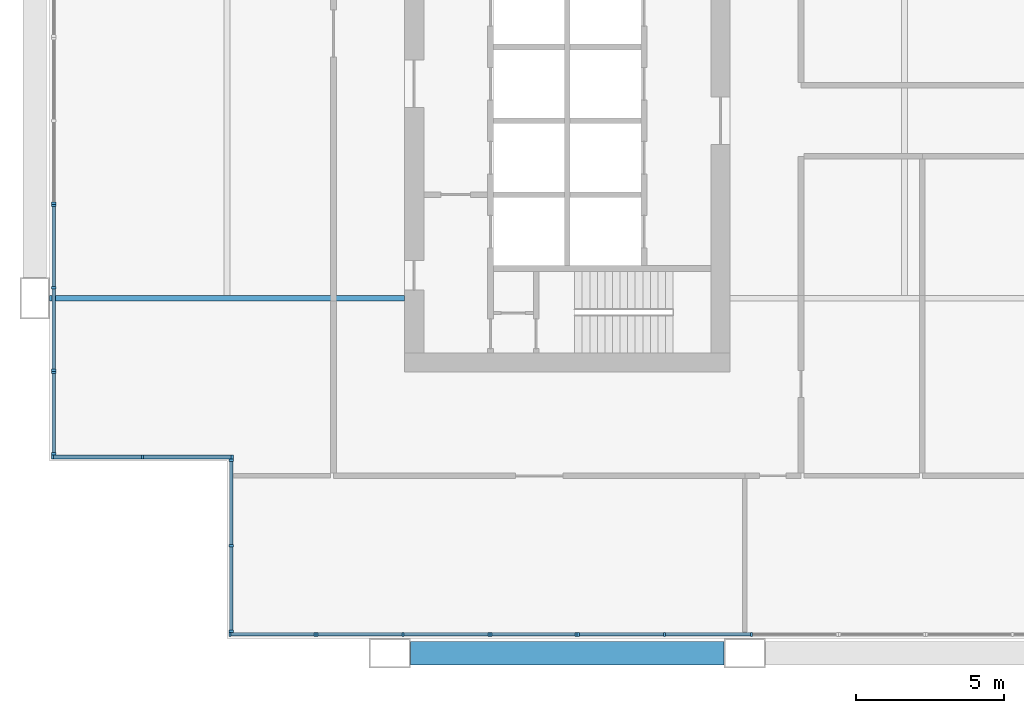
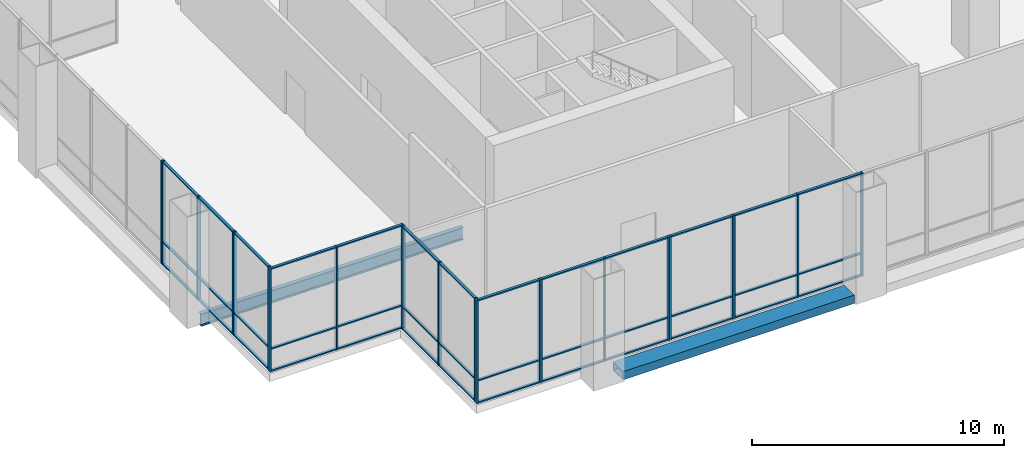
# One storey, part 2 of 20: 61 members, 2 beams, 9 elements without a shape of their own.
"""IFC4 building model written with IfcOpenShell, lengths in metres."""

import ifcopenshell
import ifcopenshell.guid

model = None  # the IFC model being written
_history = None  # IfcOwnerHistory: only IFC2X3 demands one
_inside = {}  # id of a spatial element -> (the spatial element, [elements in it])
_under = {}  # id of a project, library or spatial element -> (it, [spatial elements below it])
_declared = {}  # id of a project -> (the project, [libraries it declares])
_typed = {}  # id of a type object -> (the type object, [elements of that type])
_made_of = {}  # id of a material, layer set ... -> (it, [elements and type objects made of it])


def new_model(schema):
    """Start an empty IFC model of exactly this schema.

    Asked for "IFC4X3", IfcOpenShell would pick the latest addendum, in which some entities
    have other attributes; the version numbers below select the first issue.
    IFC2X3 requires an IfcOwnerHistory on every rooted entity: one is made here for all.
    """
    global model, _history
    if schema == "IFC4X3":
        model = ifcopenshell.file(schema_version=(4, 3, 0, 0))
    else:
        model = ifcopenshell.file(schema=schema)
    _inside.clear()
    _under.clear()
    _declared.clear()
    _typed.clear()
    _made_of.clear()
    _history = None
    if model.schema == "IFC2X3":
        org = make("IfcOrganization", Name="unknown")
        user = make(
            "IfcPersonAndOrganization",
            ThePerson=make("IfcPerson", FamilyName="unknown"),
            TheOrganization=org,
        )
        app = make(
            "IfcApplication",
            ApplicationDeveloper=org,
            Version="unknown",
            ApplicationFullName="unknown",
            ApplicationIdentifier="unknown",
        )
        _history = make(
            "IfcOwnerHistory",
            OwningUser=user,
            OwningApplication=app,
            ChangeAction="ADDED",
            CreationDate=0,
        )
    return model


def make(cls, **values):
    """One entity of the class cls with the attributes given. An attribute that is None is left unset."""
    return model.create_entity(
        cls, **{name: value for name, value in values.items() if value is not None}
    )


def rooted(cls, **values):
    """An entity with a GlobalId (a new one), such as an element, a storey or a relation."""
    return make(cls, GlobalId=ifcopenshell.guid.new(), OwnerHistory=_history, **values)


def si_unit(unit_type, name, prefix=None):
    """IfcSIUnit, for example si_unit("LENGTHUNIT", "METRE", prefix="MILLI")."""
    return make("IfcSIUnit", UnitType=unit_type, Prefix=prefix, Name=name)


def assignment(units):
    """IfcUnitAssignment: the units of a project."""
    return None if units is None else make("IfcUnitAssignment", Units=units)


def point(xyz):
    """IfcCartesianPoint."""
    return None if xyz is None else make("IfcCartesianPoint", Coordinates=xyz)


def direction(xyz):
    """IfcDirection."""
    return None if xyz is None else make("IfcDirection", DirectionRatios=xyz)


def frame(location, z_axis=None, x_axis=None):
    """IfcAxis2Placement3D, a coordinate frame: its origin and axes. An axis left out is left unset."""
    return make(
        "IfcAxis2Placement3D",
        Location=point(location),
        Axis=direction(z_axis),
        RefDirection=direction(x_axis),
    )


def frame_2d(location, x_axis=None):
    """IfcAxis2Placement2D, a coordinate frame in the plane: its origin and x axis."""
    return make(
        "IfcAxis2Placement2D", Location=point(location), RefDirection=direction(x_axis)
    )


def origin():
    """The frame at (0, 0, 0) with its axes left unset."""
    return frame((0.0, 0.0, 0.0))


def origin_2d():
    """The frame at (0, 0) in the plane with its x axis left unset."""
    return frame_2d((0.0, 0.0))


def place(relative_to, where):
    """IfcLocalPlacement: puts the frame where relative to a parent placement (None: the world)."""
    return make(
        "IfcLocalPlacement", PlacementRelTo=relative_to, RelativePlacement=where
    )


def context(
    kind, dimensions, precision=None, world=None, true_north=None, identifier=None
):
    """IfcGeometricRepresentationContext, for example the 3D "Model" context."""
    return make(
        "IfcGeometricRepresentationContext",
        ContextIdentifier=identifier,
        ContextType=kind,
        CoordinateSpaceDimension=dimensions,
        Precision=precision,
        WorldCoordinateSystem=world,
        TrueNorth=true_north,
    )


def subcontext(parent, identifier, kind, view, scale=None):
    """IfcGeometricRepresentationSubContext, for example "Body" below "Model"."""
    return make(
        "IfcGeometricRepresentationSubContext",
        ContextIdentifier=identifier,
        ContextType=kind,
        ParentContext=parent,
        TargetScale=scale,
        TargetView=view,
    )


def project(units=None, contexts=None):
    """IfcProject with its units and contexts."""
    return rooted(
        "IfcProject",
        Name="project",
        RepresentationContexts=contexts,
        UnitsInContext=assignment(units),
    )


def spatial(cls, under=None, at=None, **own):
    """A site, building, storey or space (cls), placed at a placement, below another one or the project."""
    s = rooted(cls, ObjectPlacement=at, **own)
    if under is not None:
        _under.setdefault(under.id(), (under, []))[1].append(s)
    return s


def profile(cls, at=None, kind="AREA", **sizes):
    """A parametric profile (cls). Its sizes go by their IFC names, for example OverallWidth=200.0."""
    return make(cls, ProfileType=kind, Position=at, **sizes)


def rectangle(**sizes):
    """IfcRectangleProfileDef."""
    return profile("IfcRectangleProfileDef", **sizes)


def hollow_rectangle(**sizes):
    """IfcRectangleHollowProfileDef."""
    return profile("IfcRectangleHollowProfileDef", **sizes)


def i_section(**sizes):
    """IfcIShapeProfileDef."""
    return profile("IfcIShapeProfileDef", **sizes)


def extrude(swept, where, along, depth):
    """IfcExtrudedAreaSolid: the profile swept, set in the frame where, extruded along a direction by depth."""
    return make(
        "IfcExtrudedAreaSolid",
        SweptArea=swept,
        Position=where,
        ExtrudedDirection=direction(along),
        Depth=depth,
    )


def shape(context_of_items, identifier, shape_type, items):
    """IfcShapeRepresentation: the items that make up one representation, for example the "Body"."""
    return make(
        "IfcShapeRepresentation",
        ContextOfItems=context_of_items,
        RepresentationIdentifier=identifier,
        RepresentationType=shape_type,
        Items=items,
    )


def material(Name=None, Category=None):
    """IfcMaterial."""
    return make("IfcMaterial", Name=Name, Category=Category)


def material_profile(
    of_material, cross_section, Name=None, Category=None, Priority=None
):
    """IfcMaterialProfile: a cross section and its material."""
    return make(
        "IfcMaterialProfile",
        Name=Name,
        Material=of_material,
        Profile=cross_section,
        Priority=Priority,
        Category=Category,
    )


def profile_set(profiles, Name=None, composite=None):
    """IfcMaterialProfileSet."""
    return make(
        "IfcMaterialProfileSet",
        Name=Name,
        MaterialProfiles=profiles,
        CompositeProfile=composite,
    )


def made_of(thing, what):
    """Note that an element or type object is made of a material, layer set ...; save() writes the relation."""
    if what is not None:
        _made_of.setdefault(what.id(), (what, []))[1].append(thing)
    return thing


def type_object(cls, material=None, **own):
    """A type object (cls), such as IfcWallType, which elements share."""
    return made_of(rooted(cls, **own), material)


def element(
    cls,
    number,
    at=None,
    inside=None,
    cuts=None,
    type_object=None,
    material=None,
    context=None,
    identifier="Body",
    shape_type=None,
    held_by="IfcProductDefinitionShape",
    body=None,
    shapes=None,
    **own,
):
    """One element of the class cls, such as IfcWall. Its Tag is "e" and its number.

    at: its placement. inside: the storey or other place that contains it. cuts: it is an
    opening in that element (IfcRelVoidsElement). A single representation is given by context,
    identifier, shape_type and body (its items); several are given by shapes. held_by: the class
    of the entity that holds the representations. save() writes the other relations.
    """
    e = rooted(cls, Tag="e%d" % number, ObjectPlacement=at, **own)
    if body is not None:
        shapes = [shape(context, identifier, shape_type, body)]
    if shapes is not None:
        e.Representation = make(held_by, Representations=shapes)
    if inside is not None:
        _inside.setdefault(inside.id(), (inside, []))[1].append(e)
    if cuts is not None:
        rooted(
            "IfcRelVoidsElement", RelatingBuildingElement=cuts, RelatedOpeningElement=e
        )
    if type_object is not None:
        _typed.setdefault(type_object.id(), (type_object, []))[1].append(e)
    return made_of(e, material)


def aggregate(whole, parts):
    """IfcRelAggregates: a whole, such as a stair, and the parts it consists of."""
    return rooted("IfcRelAggregates", RelatingObject=whole, RelatedObjects=parts)


def save(model, path):
    """Write the relations noted so far, then the file.

    IfcRelAggregates (storeys below a building ...), IfcRelContainedInSpatialStructure (elements
    in a storey), IfcRelDefinesByType, IfcRelAssociatesMaterial and IfcRelDeclares: one each for
    every whole, place, type object, material and project.
    """
    for whole, parts in _under.values():
        aggregate(whole, parts)
    for where, things in _inside.values():
        rooted(
            "IfcRelContainedInSpatialStructure",
            RelatedElements=things,
            RelatingStructure=where,
        )
    for kind, things in _typed.values():
        rooted("IfcRelDefinesByType", RelatedObjects=things, RelatingType=kind)
    for what, things in _made_of.values():
        rooted("IfcRelAssociatesMaterial", RelatedObjects=things, RelatingMaterial=what)
    for by, libraries in _declared.values():
        rooted("IfcRelDeclares", RelatingContext=by, RelatedDefinitions=libraries)
    model.write(path)


model = new_model("IFC4")

# Units and contexts
model_context = context("Model", 3, precision=1e-05, world=origin(), true_north=direction((0.0, 1.0)))
body_context = subcontext(model_context, "Body", "Model", "MODEL_VIEW")
ifc_project = project(units=[si_unit("LENGTHUNIT", "METRE"), si_unit("AREAUNIT", "SQUARE_METRE"), si_unit("VOLUMEUNIT", "CUBIC_METRE"), si_unit("PLANEANGLEUNIT", "RADIAN"), si_unit("MASSUNIT", "GRAM", prefix="KILO")], contexts=[model_context])

# Site, building, storey
site_placement = place(None, origin())
site = spatial("IfcSite", under=ifc_project, at=site_placement, CompositionType="ELEMENT")
building_placement = place(site_placement, origin())
building = spatial("IfcBuilding", under=site, at=building_placement, Name="Kitamizu Gate Tower and Museum", CompositionType="ELEMENT")
storey_placement = place(building_placement, frame((0.0, 0.0, 148.35009765625)))
storey = spatial("IfcBuildingStorey", under=building, at=storey_placement, Name="L39", CompositionType="ELEMENT", Elevation=148.35009765625)

# Beams
ifc_material_1 = material(Name="Steel SM490A bronze coated", Category="steel")
ifc_material_profile_1 = material_profile(ifc_material_1, hollow_rectangle(XDim=0.800048828125, YDim=0.39990234375, WallThickness=0.0400390625, at=origin_2d()), Name="BOX 800x400x40")
ifc_profile_set_1 = profile_set([ifc_material_profile_1], Name="Steel SM490A bronze coated")
beam_type_1 = type_object("IfcBeamType", Name="Exoskeleton spandrel beam SB1 BOX 800x400x40", PredefinedType="SPANDREL", material=ifc_profile_set_1)
beam_1_placement = place(storey_placement, frame((12.699951171875, 12.0, -0.2001953125), z_axis=(1.0, 0.0, 0.0), x_axis=(0.0, 1.0, 0.0)))
element("IfcBeam", 1, at=beam_1_placement, inside=storey, type_object=beam_type_1, Name="Exoskeleton spandrel beam south 12 L39", PredefinedType="SPANDREL", context=body_context, shape_type="SweptSolid", body=[
    extrude(hollow_rectangle(XDim=0.800048828125, YDim=0.39990234375, WallThickness=0.0400390625, at=origin_2d()), origin(), (0.0, 0.0, 1.0), 10.60009765625),
])
ifc_material_2 = material(Name="Steel SM490A", Category="steel")
ifc_material_profile_2 = material_profile(ifc_material_2, i_section(OverallWidth=0.199951171875, OverallDepth=0.60009765625, WebThickness=0.010986328125, FlangeThickness=0.01708984375, FilletRadius=0.02197265625, at=origin_2d()), Name="H-600x200x11x17")
ifc_profile_set_2 = profile_set([ifc_material_profile_2], Name="Steel SM490A")
beam_type_2 = type_object("IfcBeamType", Name="Floor girder FG1 H 600x200x11x17", PredefinedType="BEAM", material=ifc_profile_set_2)
beam_2_placement = place(storey_placement, frame((0.5, 24.0, -0.7001953125), z_axis=(1.0, 0.0, 0.0), x_axis=(0.0, 1.0, 0.0)))
element("IfcBeam", 2, at=beam_2_placement, inside=storey, type_object=beam_type_2, Name="Floor girder FG1 y24 L39", PredefinedType="BEAM", context=body_context, shape_type="SweptSolid", body=[
    extrude(i_section(OverallWidth=0.199951171875, OverallDepth=0.60009765625, WebThickness=0.010986328125, FlangeThickness=0.01708984375, FilletRadius=0.02197265625, at=origin_2d()), origin(), (0.0, 0.0, 1.0), 12.0),
])

# Curtain wall, members
ifc_material_3 = material(Name="Bronze anodised aluminium frame, tinted triple glazing", Category="aluminium")
curtain_wall_type_1 = type_object("IfcCurtainWallType", Name="CURTAIN WALL TYPE B SKY LOBBY", PredefinedType="NOTDEFINED", material=ifc_material_3)
curtain_wall_1_placement = place(storey_placement, origin())
curtain_wall_1 = element("IfcCurtainWall", 3, at=curtain_wall_1_placement, inside=storey, type_object=curtain_wall_type_1, Name="Curtain wall CW-B south L39 part 1", PredefinedType="NOTDEFINED")
ifc_material_4 = material(Name="Bronze anodised aluminium", Category="aluminium")
ifc_material_profile_3 = material_profile(ifc_material_4, rectangle(XDim=0.070068359375, YDim=0.14990234375, at=origin_2d()), Name="AL 70X150")
ifc_profile_set_3 = profile_set([ifc_material_profile_3], Name="Bronze anodised aluminium")
member_type_1 = type_object("IfcMemberType", Name="MULLION 70 X 150 TYPE B", PredefinedType="MULLION", material=ifc_profile_set_3)
member_1_placement = place(storey_placement, frame((6.594970703125, 12.635009765625, 0.0), z_axis=(0.0, 0.0, 1.0), x_axis=(1.0, 0.0, 0.0)))
member_1 = element("IfcMember", 4, at=member_1_placement, type_object=member_type_1, Name="CW-B mullion 1", PredefinedType="MULLION", context=body_context, shape_type="SweptSolid", body=[
    extrude(rectangle(XDim=0.070068359375, YDim=0.14990234375, at=origin_2d()), origin(), (0.0, 0.0, 1.0), 5.0),
])
member_2_placement = place(storey_placement, frame((9.468994140625, 12.635009765625, 0.0), z_axis=(0.0, 0.0, 1.0), x_axis=(1.0, 0.0, 0.0)))
member_2 = element("IfcMember", 5, at=member_2_placement, type_object=member_type_1, Name="CW-B mullion 2", PredefinedType="MULLION", context=body_context, shape_type="SweptSolid", body=[
    extrude(rectangle(XDim=0.070068359375, YDim=0.14990234375, at=origin_2d()), origin(), (0.0, 0.0, 1.0), 5.0),
])

ifc_material_5 = material(Name="Bronze anodised aluminium frame, insulated panels", Category="aluminium")
curtain_wall_type_2 = type_object("IfcCurtainWallType", Name="CURTAIN WALL TYPE B SKY LOBBY INSULATED", PredefinedType="NOTDEFINED", material=ifc_material_5)
curtain_wall_2_placement = place(storey_placement, origin())
curtain_wall_2 = element("IfcCurtainWall", 6, at=curtain_wall_2_placement, inside=storey, type_object=curtain_wall_type_2, Name="Curtain wall CW-BI south L39 part 2", PredefinedType="NOTDEFINED")
member_3_placement = place(storey_placement, frame((9.5390625, 12.635009765625, 0.0), z_axis=(0.0, 0.0, 1.0), x_axis=(1.0, 0.0, 0.0)))
member_3 = element("IfcMember", 7, at=member_3_placement, type_object=member_type_1, Name="CW-BI mullion 1", PredefinedType="MULLION", context=body_context, shape_type="SweptSolid", body=[
    extrude(rectangle(XDim=0.070068359375, YDim=0.14990234375, at=origin_2d()), origin(), (0.0, 0.0, 1.0), 5.0),
])
member_4_placement = place(storey_placement, frame((12.447998046875, 12.635009765625, 0.0), z_axis=(0.0, 0.0, 1.0), x_axis=(1.0, 0.0, 0.0)))
member_4 = element("IfcMember", 8, at=member_4_placement, type_object=member_type_1, Name="CW-BI mullion 2", PredefinedType="MULLION", context=body_context, shape_type="SweptSolid", body=[
    extrude(rectangle(XDim=0.070068359375, YDim=0.14990234375, at=origin_2d()), origin(), (0.0, 0.0, 1.0), 5.0),
])
member_5_placement = place(storey_placement, frame((15.35693359375, 12.635009765625, 0.0), z_axis=(0.0, 0.0, 1.0), x_axis=(1.0, 0.0, 0.0)))
member_5 = element("IfcMember", 9, at=member_5_placement, type_object=member_type_1, Name="CW-BI mullion 3", PredefinedType="MULLION", context=body_context, shape_type="SweptSolid", body=[
    extrude(rectangle(XDim=0.070068359375, YDim=0.14990234375, at=origin_2d()), origin(), (0.0, 0.0, 1.0), 5.0),
])

curtain_wall_3_placement = place(storey_placement, origin())
curtain_wall_3 = element("IfcCurtainWall", 10, at=curtain_wall_3_placement, inside=storey, type_object=curtain_wall_type_1, Name="Curtain wall CW-B south L39 part 3", PredefinedType="NOTDEFINED")
member_6_placement = place(storey_placement, frame((15.427001953125, 12.635009765625, 0.0), z_axis=(0.0, 0.0, 1.0), x_axis=(1.0, 0.0, 0.0)))
member_6 = element("IfcMember", 11, at=member_6_placement, type_object=member_type_1, Name="CW-B mullion 1", PredefinedType="MULLION", context=body_context, shape_type="SweptSolid", body=[
    extrude(rectangle(XDim=0.070068359375, YDim=0.14990234375, at=origin_2d()), origin(), (0.0, 0.0, 1.0), 5.0),
])
member_7_placement = place(storey_placement, frame((18.301025390625, 12.635009765625, 0.0), z_axis=(0.0, 0.0, 1.0), x_axis=(1.0, 0.0, 0.0)))
member_7 = element("IfcMember", 12, at=member_7_placement, type_object=member_type_1, Name="CW-B mullion 2", PredefinedType="MULLION", context=body_context, shape_type="SweptSolid", body=[
    extrude(rectangle(XDim=0.070068359375, YDim=0.14990234375, at=origin_2d()), origin(), (0.0, 0.0, 1.0), 5.0),
])

curtain_wall_4_placement = place(storey_placement, origin())
curtain_wall_4 = element("IfcCurtainWall", 13, at=curtain_wall_4_placement, inside=storey, type_object=curtain_wall_type_2, Name="Curtain wall CW-BI south L39 part 4", PredefinedType="NOTDEFINED")
member_8_placement = place(storey_placement, frame((18.37109375, 12.635009765625, 0.0), z_axis=(0.0, 0.0, 1.0), x_axis=(1.0, 0.0, 0.0)))
member_8 = element("IfcMember", 14, at=member_8_placement, type_object=member_type_1, Name="CW-BI mullion 1", PredefinedType="MULLION", context=body_context, shape_type="SweptSolid", body=[
    extrude(rectangle(XDim=0.070068359375, YDim=0.14990234375, at=origin_2d()), origin(), (0.0, 0.0, 1.0), 5.0),
])
member_9_placement = place(storey_placement, frame((21.280029296875, 12.635009765625, 0.0), z_axis=(0.0, 0.0, 1.0), x_axis=(1.0, 0.0, 0.0)))
member_9 = element("IfcMember", 15, at=member_9_placement, type_object=member_type_1, Name="CW-BI mullion 2", PredefinedType="MULLION", context=body_context, shape_type="SweptSolid", body=[
    extrude(rectangle(XDim=0.070068359375, YDim=0.14990234375, at=origin_2d()), origin(), (0.0, 0.0, 1.0), 5.0),
])
member_10_placement = place(storey_placement, frame((24.22412109375, 12.635009765625, 0.0), z_axis=(0.0, 0.0, 1.0), x_axis=(1.0, 0.0, 0.0)))
member_10 = element("IfcMember", 16, at=member_10_placement, type_object=member_type_1, Name="CW-BI mullion 3", PredefinedType="MULLION", context=body_context, shape_type="SweptSolid", body=[
    extrude(rectangle(XDim=0.070068359375, YDim=0.14990234375, at=origin_2d()), origin(), (0.0, 0.0, 1.0), 5.0),
])

curtain_wall_5_placement = place(storey_placement, origin())
curtain_wall_5 = element("IfcCurtainWall", 17, at=curtain_wall_5_placement, inside=storey, type_object=curtain_wall_type_1, Name="Curtain wall CW-B west L39 part 1", PredefinedType="NOTDEFINED")
member_11_placement = place(storey_placement, frame((0.635009765625, 18.7451171875, 0.0), z_axis=(0.0, 0.0, 1.0), x_axis=(0.0, 1.0, 0.0)))
member_11 = element("IfcMember", 18, at=member_11_placement, type_object=member_type_1, Name="CW-B mullion 1", PredefinedType="MULLION", context=body_context, shape_type="SweptSolid", body=[
    extrude(rectangle(XDim=0.070068359375, YDim=0.14990234375, at=origin_2d()), origin(), (0.0, 0.0, 1.0), 5.0),
])
member_12_placement = place(storey_placement, frame((0.635009765625, 21.49755859375, 0.0), z_axis=(0.0, 0.0, 1.0), x_axis=(0.0, 1.0, 0.0)))
member_12 = element("IfcMember", 19, at=member_12_placement, type_object=member_type_1, Name="CW-B mullion 2", PredefinedType="MULLION", context=body_context, shape_type="SweptSolid", body=[
    extrude(rectangle(XDim=0.070068359375, YDim=0.14990234375, at=origin_2d()), origin(), (0.0, 0.0, 1.0), 5.0),
])

curtain_wall_6_placement = place(storey_placement, origin())
curtain_wall_6 = element("IfcCurtainWall", 20, at=curtain_wall_6_placement, inside=storey, type_object=curtain_wall_type_2, Name="Curtain wall CW-BI west L39 part 2", PredefinedType="NOTDEFINED")
member_13_placement = place(storey_placement, frame((0.635009765625, 21.5673828125, 0.0), z_axis=(0.0, 0.0, 1.0), x_axis=(0.0, 1.0, 0.0)))
member_13 = element("IfcMember", 21, at=member_13_placement, type_object=member_type_1, Name="CW-BI mullion 1", PredefinedType="MULLION", context=body_context, shape_type="SweptSolid", body=[
    extrude(rectangle(XDim=0.070068359375, YDim=0.14990234375, at=origin_2d()), origin(), (0.0, 0.0, 1.0), 5.0),
])
member_14_placement = place(storey_placement, frame((0.635009765625, 24.35498046875, 0.0), z_axis=(0.0, 0.0, 1.0), x_axis=(0.0, 1.0, 0.0)))
member_14 = element("IfcMember", 22, at=member_14_placement, type_object=member_type_1, Name="CW-BI mullion 2", PredefinedType="MULLION", context=body_context, shape_type="SweptSolid", body=[
    extrude(rectangle(XDim=0.070068359375, YDim=0.14990234375, at=origin_2d()), origin(), (0.0, 0.0, 1.0), 5.0),
])
member_15_placement = place(storey_placement, frame((0.635009765625, 27.142578125, 0.0), z_axis=(0.0, 0.0, 1.0), x_axis=(0.0, 1.0, 0.0)))
member_15 = element("IfcMember", 23, at=member_15_placement, type_object=member_type_1, Name="CW-BI mullion 3", PredefinedType="MULLION", context=body_context, shape_type="SweptSolid", body=[
    extrude(rectangle(XDim=0.070068359375, YDim=0.14990234375, at=origin_2d()), origin(), (0.0, 0.0, 1.0), 5.0),
])

# Curtain wall, member
curtain_wall_7_placement = place(storey_placement, origin())
curtain_wall_7 = element("IfcCurtainWall", 24, at=curtain_wall_7_placement, inside=storey, type_object=curtain_wall_type_1, Name="Curtain wall CW-B west L39 part 3", PredefinedType="NOTDEFINED")
member_16_placement = place(storey_placement, frame((0.635009765625, 27.21240234375, 0.0), z_axis=(0.0, 0.0, 1.0), x_axis=(0.0, 1.0, 0.0)))
member_16 = element("IfcMember", 25, at=member_16_placement, type_object=member_type_1, Name="CW-B mullion 1", PredefinedType="MULLION", context=body_context, shape_type="SweptSolid", body=[
    extrude(rectangle(XDim=0.070068359375, YDim=0.14990234375, at=origin_2d()), origin(), (0.0, 0.0, 1.0), 5.0),
])
aggregate(curtain_wall_7, [member_16])

# Curtain wall, members
curtain_wall_8_placement = place(storey_placement, origin())
curtain_wall_8 = element("IfcCurtainWall", 26, at=curtain_wall_8_placement, inside=storey, type_object=curtain_wall_type_1, Name="Curtain wall CW-B south L39", PredefinedType="NOTDEFINED")
member_17_placement = place(storey_placement, frame((0.594970703125, 18.635009765625, 0.0), z_axis=(0.0, 0.0, 1.0), x_axis=(1.0, 0.0, 0.0)))
member_17 = element("IfcMember", 27, at=member_17_placement, type_object=member_type_1, Name="CW-B mullion 1", PredefinedType="MULLION", context=body_context, shape_type="SweptSolid", body=[
    extrude(rectangle(XDim=0.070068359375, YDim=0.14990234375, at=origin_2d()), origin(), (0.0, 0.0, 1.0), 5.0),
])
member_18_placement = place(storey_placement, frame((3.635009765625, 18.635009765625, 0.0), z_axis=(0.0, 0.0, 1.0), x_axis=(1.0, 0.0, 0.0)))
member_18 = element("IfcMember", 28, at=member_18_placement, type_object=member_type_1, Name="CW-B mullion 2", PredefinedType="MULLION", context=body_context, shape_type="SweptSolid", body=[
    extrude(rectangle(XDim=0.070068359375, YDim=0.14990234375, at=origin_2d()), origin(), (0.0, 0.0, 1.0), 5.0),
])
member_19_placement = place(storey_placement, frame((6.675048828125, 18.635009765625, 0.0), z_axis=(0.0, 0.0, 1.0), x_axis=(1.0, 0.0, 0.0)))
member_19 = element("IfcMember", 29, at=member_19_placement, type_object=member_type_1, Name="CW-B mullion 3", PredefinedType="MULLION", context=body_context, shape_type="SweptSolid", body=[
    extrude(rectangle(XDim=0.070068359375, YDim=0.14990234375, at=origin_2d()), origin(), (0.0, 0.0, 1.0), 5.0),
])

curtain_wall_9_placement = place(storey_placement, origin())
curtain_wall_9 = element("IfcCurtainWall", 30, at=curtain_wall_9_placement, inside=storey, type_object=curtain_wall_type_1, Name="Curtain wall CW-B west L39", PredefinedType="NOTDEFINED")
member_20_placement = place(storey_placement, frame((6.635009765625, 12.7451171875, 0.0), z_axis=(0.0, 0.0, 1.0), x_axis=(0.0, 1.0, 0.0)))
member_20 = element("IfcMember", 31, at=member_20_placement, type_object=member_type_1, Name="CW-B mullion 1", PredefinedType="MULLION", context=body_context, shape_type="SweptSolid", body=[
    extrude(rectangle(XDim=0.070068359375, YDim=0.14990234375, at=origin_2d()), origin(), (0.0, 0.0, 1.0), 5.0),
])
member_21_placement = place(storey_placement, frame((6.635009765625, 15.635009765625, 0.0), z_axis=(0.0, 0.0, 1.0), x_axis=(0.0, 1.0, 0.0)))
member_21 = element("IfcMember", 32, at=member_21_placement, type_object=member_type_1, Name="CW-B mullion 2", PredefinedType="MULLION", context=body_context, shape_type="SweptSolid", body=[
    extrude(rectangle(XDim=0.070068359375, YDim=0.14990234375, at=origin_2d()), origin(), (0.0, 0.0, 1.0), 5.0),
])
member_22_placement = place(storey_placement, frame((6.635009765625, 18.52490234375, 0.0), z_axis=(0.0, 0.0, 1.0), x_axis=(0.0, 1.0, 0.0)))
member_22 = element("IfcMember", 33, at=member_22_placement, type_object=member_type_1, Name="CW-B mullion 3", PredefinedType="MULLION", context=body_context, shape_type="SweptSolid", body=[
    extrude(rectangle(XDim=0.070068359375, YDim=0.14990234375, at=origin_2d()), origin(), (0.0, 0.0, 1.0), 5.0),
])

# Member
ifc_material_6 = material(Name="Bronze anodised aluminium", Category="aluminium")
ifc_material_profile_4 = material_profile(ifc_material_6, rectangle(XDim=0.1201171875, YDim=0.06005859375, at=origin_2d()), Name="AL 60X120")
ifc_profile_set_4 = profile_set([ifc_material_profile_4], Name="Bronze anodised aluminium")
member_type_2 = type_object("IfcMemberType", Name="TRANSOM 60 X 120 TYPE B", PredefinedType="USERDEFINED", material=ifc_profile_set_4)
member_23_placement = place(storey_placement, frame((6.6298828125, 12.635009765625, 0.02978515625), z_axis=(1.0, 0.0, 0.0), x_axis=(0.0, 1.0, 0.0)))
member_23 = element("IfcMember", 34, at=member_23_placement, type_object=member_type_2, Name="CW-B transom 1.1", ObjectType="TRANSOM", PredefinedType="USERDEFINED", context=body_context, shape_type="SweptSolid", body=[
    extrude(rectangle(XDim=0.1201171875, YDim=0.06005859375, at=origin_2d()), origin(), (0.0, 0.0, 1.0), 2.80419921875),
])

member_24_placement = place(storey_placement, frame((6.6298828125, 12.635009765625, 1.099853515625), z_axis=(1.0, 0.0, 0.0), x_axis=(0.0, 1.0, 0.0)))
member_24 = element("IfcMember", 35, at=member_24_placement, type_object=member_type_2, Name="CW-B transom 1.2", ObjectType="TRANSOM", PredefinedType="USERDEFINED", context=body_context, shape_type="SweptSolid", body=[
    extrude(rectangle(XDim=0.1201171875, YDim=0.06005859375, at=origin_2d()), origin(), (0.0, 0.0, 1.0), 2.80419921875),
])

member_25_placement = place(storey_placement, frame((6.6298828125, 12.635009765625, 4.969970703125), z_axis=(1.0, 0.0, 0.0), x_axis=(0.0, 1.0, 0.0)))
member_25 = element("IfcMember", 36, at=member_25_placement, type_object=member_type_2, Name="CW-B transom 1.3", ObjectType="TRANSOM", PredefinedType="USERDEFINED", context=body_context, shape_type="SweptSolid", body=[
    extrude(rectangle(XDim=0.1201171875, YDim=0.06005859375, at=origin_2d()), origin(), (0.0, 0.0, 1.0), 2.80419921875),
])

aggregate(curtain_wall_1, [member_1, member_2, member_23, member_24, member_25])

member_26_placement = place(storey_placement, frame((9.573974609375, 12.635009765625, 0.02978515625), z_axis=(1.0, 0.0, 0.0), x_axis=(0.0, 1.0, 0.0)))
member_26 = element("IfcMember", 37, at=member_26_placement, type_object=member_type_2, Name="CW-BI transom 1.1", ObjectType="TRANSOM", PredefinedType="USERDEFINED", context=body_context, shape_type="SweptSolid", body=[
    extrude(rectangle(XDim=0.1201171875, YDim=0.06005859375, at=origin_2d()), origin(), (0.0, 0.0, 1.0), 2.839111328125),
])

member_27_placement = place(storey_placement, frame((9.573974609375, 12.635009765625, 1.099853515625), z_axis=(1.0, 0.0, 0.0), x_axis=(0.0, 1.0, 0.0)))
member_27 = element("IfcMember", 38, at=member_27_placement, type_object=member_type_2, Name="CW-BI transom 1.2", ObjectType="TRANSOM", PredefinedType="USERDEFINED", context=body_context, shape_type="SweptSolid", body=[
    extrude(rectangle(XDim=0.1201171875, YDim=0.06005859375, at=origin_2d()), origin(), (0.0, 0.0, 1.0), 2.839111328125),
])

member_28_placement = place(storey_placement, frame((9.573974609375, 12.635009765625, 4.969970703125), z_axis=(1.0, 0.0, 0.0), x_axis=(0.0, 1.0, 0.0)))
member_28 = element("IfcMember", 39, at=member_28_placement, type_object=member_type_2, Name="CW-BI transom 1.3", ObjectType="TRANSOM", PredefinedType="USERDEFINED", context=body_context, shape_type="SweptSolid", body=[
    extrude(rectangle(XDim=0.1201171875, YDim=0.06005859375, at=origin_2d()), origin(), (0.0, 0.0, 1.0), 2.839111328125),
])

member_29_placement = place(storey_placement, frame((12.48291015625, 12.635009765625, 0.02978515625), z_axis=(1.0, 0.0, 0.0), x_axis=(0.0, 1.0, 0.0)))
member_29 = element("IfcMember", 40, at=member_29_placement, type_object=member_type_2, Name="CW-BI transom 2.1", ObjectType="TRANSOM", PredefinedType="USERDEFINED", context=body_context, shape_type="SweptSolid", body=[
    extrude(rectangle(XDim=0.1201171875, YDim=0.06005859375, at=origin_2d()), origin(), (0.0, 0.0, 1.0), 2.839111328125),
])

member_30_placement = place(storey_placement, frame((12.48291015625, 12.635009765625, 1.099853515625), z_axis=(1.0, 0.0, 0.0), x_axis=(0.0, 1.0, 0.0)))
member_30 = element("IfcMember", 41, at=member_30_placement, type_object=member_type_2, Name="CW-BI transom 2.2", ObjectType="TRANSOM", PredefinedType="USERDEFINED", context=body_context, shape_type="SweptSolid", body=[
    extrude(rectangle(XDim=0.1201171875, YDim=0.06005859375, at=origin_2d()), origin(), (0.0, 0.0, 1.0), 2.839111328125),
])

member_31_placement = place(storey_placement, frame((12.48291015625, 12.635009765625, 4.969970703125), z_axis=(1.0, 0.0, 0.0), x_axis=(0.0, 1.0, 0.0)))
member_31 = element("IfcMember", 42, at=member_31_placement, type_object=member_type_2, Name="CW-BI transom 2.3", ObjectType="TRANSOM", PredefinedType="USERDEFINED", context=body_context, shape_type="SweptSolid", body=[
    extrude(rectangle(XDim=0.1201171875, YDim=0.06005859375, at=origin_2d()), origin(), (0.0, 0.0, 1.0), 2.839111328125),
])

aggregate(curtain_wall_2, [member_3, member_4, member_5, member_26, member_27, member_28, member_29, member_30, member_31])

member_32_placement = place(storey_placement, frame((15.4619140625, 12.635009765625, 0.02978515625), z_axis=(1.0, 0.0, 0.0), x_axis=(0.0, 1.0, 0.0)))
member_32 = element("IfcMember", 43, at=member_32_placement, type_object=member_type_2, Name="CW-B transom 1.1", ObjectType="TRANSOM", PredefinedType="USERDEFINED", context=body_context, shape_type="SweptSolid", body=[
    extrude(rectangle(XDim=0.1201171875, YDim=0.06005859375, at=origin_2d()), origin(), (0.0, 0.0, 1.0), 2.80419921875),
])

member_33_placement = place(storey_placement, frame((15.4619140625, 12.635009765625, 1.099853515625), z_axis=(1.0, 0.0, 0.0), x_axis=(0.0, 1.0, 0.0)))
member_33 = element("IfcMember", 44, at=member_33_placement, type_object=member_type_2, Name="CW-B transom 1.2", ObjectType="TRANSOM", PredefinedType="USERDEFINED", context=body_context, shape_type="SweptSolid", body=[
    extrude(rectangle(XDim=0.1201171875, YDim=0.06005859375, at=origin_2d()), origin(), (0.0, 0.0, 1.0), 2.80419921875),
])

member_34_placement = place(storey_placement, frame((15.4619140625, 12.635009765625, 4.969970703125), z_axis=(1.0, 0.0, 0.0), x_axis=(0.0, 1.0, 0.0)))
member_34 = element("IfcMember", 45, at=member_34_placement, type_object=member_type_2, Name="CW-B transom 1.3", ObjectType="TRANSOM", PredefinedType="USERDEFINED", context=body_context, shape_type="SweptSolid", body=[
    extrude(rectangle(XDim=0.1201171875, YDim=0.06005859375, at=origin_2d()), origin(), (0.0, 0.0, 1.0), 2.80419921875),
])

aggregate(curtain_wall_3, [member_6, member_7, member_32, member_33, member_34])

member_35_placement = place(storey_placement, frame((18.406005859375, 12.635009765625, 0.02978515625), z_axis=(1.0, 0.0, 0.0), x_axis=(0.0, 1.0, 0.0)))
member_35 = element("IfcMember", 46, at=member_35_placement, type_object=member_type_2, Name="CW-BI transom 1.1", ObjectType="TRANSOM", PredefinedType="USERDEFINED", context=body_context, shape_type="SweptSolid", body=[
    extrude(rectangle(XDim=0.1201171875, YDim=0.06005859375, at=origin_2d()), origin(), (0.0, 0.0, 1.0), 2.839111328125),
])

member_36_placement = place(storey_placement, frame((18.406005859375, 12.635009765625, 1.099853515625), z_axis=(1.0, 0.0, 0.0), x_axis=(0.0, 1.0, 0.0)))
member_36 = element("IfcMember", 47, at=member_36_placement, type_object=member_type_2, Name="CW-BI transom 1.2", ObjectType="TRANSOM", PredefinedType="USERDEFINED", context=body_context, shape_type="SweptSolid", body=[
    extrude(rectangle(XDim=0.1201171875, YDim=0.06005859375, at=origin_2d()), origin(), (0.0, 0.0, 1.0), 2.839111328125),
])

member_37_placement = place(storey_placement, frame((18.406005859375, 12.635009765625, 4.969970703125), z_axis=(1.0, 0.0, 0.0), x_axis=(0.0, 1.0, 0.0)))
member_37 = element("IfcMember", 48, at=member_37_placement, type_object=member_type_2, Name="CW-BI transom 1.3", ObjectType="TRANSOM", PredefinedType="USERDEFINED", context=body_context, shape_type="SweptSolid", body=[
    extrude(rectangle(XDim=0.1201171875, YDim=0.06005859375, at=origin_2d()), origin(), (0.0, 0.0, 1.0), 2.839111328125),
])

member_38_placement = place(storey_placement, frame((21.31494140625, 12.635009765625, 0.02978515625), z_axis=(1.0, 0.0, 0.0), x_axis=(0.0, 1.0, 0.0)))
member_38 = element("IfcMember", 49, at=member_38_placement, type_object=member_type_2, Name="CW-BI transom 2.1", ObjectType="TRANSOM", PredefinedType="USERDEFINED", context=body_context, shape_type="SweptSolid", body=[
    extrude(rectangle(XDim=0.1201171875, YDim=0.06005859375, at=origin_2d()), origin(), (0.0, 0.0, 1.0), 2.8740234375),
])

member_39_placement = place(storey_placement, frame((21.31494140625, 12.635009765625, 1.099853515625), z_axis=(1.0, 0.0, 0.0), x_axis=(0.0, 1.0, 0.0)))
member_39 = element("IfcMember", 50, at=member_39_placement, type_object=member_type_2, Name="CW-BI transom 2.2", ObjectType="TRANSOM", PredefinedType="USERDEFINED", context=body_context, shape_type="SweptSolid", body=[
    extrude(rectangle(XDim=0.1201171875, YDim=0.06005859375, at=origin_2d()), origin(), (0.0, 0.0, 1.0), 2.8740234375),
])

member_40_placement = place(storey_placement, frame((21.31494140625, 12.635009765625, 4.969970703125), z_axis=(1.0, 0.0, 0.0), x_axis=(0.0, 1.0, 0.0)))
member_40 = element("IfcMember", 51, at=member_40_placement, type_object=member_type_2, Name="CW-BI transom 2.3", ObjectType="TRANSOM", PredefinedType="USERDEFINED", context=body_context, shape_type="SweptSolid", body=[
    extrude(rectangle(XDim=0.1201171875, YDim=0.06005859375, at=origin_2d()), origin(), (0.0, 0.0, 1.0), 2.8740234375),
])

aggregate(curtain_wall_4, [member_8, member_9, member_10, member_35, member_36, member_37, member_38, member_39, member_40])

member_41_placement = place(storey_placement, frame((0.635009765625, 18.780029296875, 0.02978515625), z_axis=(0.0, 1.0, 0.0), x_axis=(-1.0, 0.0, 0.0)))
member_41 = element("IfcMember", 52, at=member_41_placement, type_object=member_type_2, Name="CW-B transom 1.1", ObjectType="TRANSOM", PredefinedType="USERDEFINED", context=body_context, shape_type="SweptSolid", body=[
    extrude(rectangle(XDim=0.1201171875, YDim=0.06005859375, at=origin_2d()), origin(), (0.0, 0.0, 1.0), 2.682373046875),
])

member_42_placement = place(storey_placement, frame((0.635009765625, 18.780029296875, 1.099853515625), z_axis=(0.0, 1.0, 0.0), x_axis=(-1.0, 0.0, 0.0)))
member_42 = element("IfcMember", 53, at=member_42_placement, type_object=member_type_2, Name="CW-B transom 1.2", ObjectType="TRANSOM", PredefinedType="USERDEFINED", context=body_context, shape_type="SweptSolid", body=[
    extrude(rectangle(XDim=0.1201171875, YDim=0.06005859375, at=origin_2d()), origin(), (0.0, 0.0, 1.0), 2.682373046875),
])

member_43_placement = place(storey_placement, frame((0.635009765625, 18.780029296875, 4.969970703125), z_axis=(0.0, 1.0, 0.0), x_axis=(-1.0, 0.0, 0.0)))
member_43 = element("IfcMember", 54, at=member_43_placement, type_object=member_type_2, Name="CW-B transom 1.3", ObjectType="TRANSOM", PredefinedType="USERDEFINED", context=body_context, shape_type="SweptSolid", body=[
    extrude(rectangle(XDim=0.1201171875, YDim=0.06005859375, at=origin_2d()), origin(), (0.0, 0.0, 1.0), 2.682373046875),
])

aggregate(curtain_wall_5, [member_11, member_12, member_41, member_42, member_43])

member_44_placement = place(storey_placement, frame((0.635009765625, 21.6025390625, 0.02978515625), z_axis=(0.0, 1.0, 0.0), x_axis=(-1.0, 0.0, 0.0)))
member_44 = element("IfcMember", 55, at=member_44_placement, type_object=member_type_2, Name="CW-BI transom 1.1", ObjectType="TRANSOM", PredefinedType="USERDEFINED", context=body_context, shape_type="SweptSolid", body=[
    extrude(rectangle(XDim=0.1201171875, YDim=0.06005859375, at=origin_2d()), origin(), (0.0, 0.0, 1.0), 2.717529296875),
])

member_45_placement = place(storey_placement, frame((0.635009765625, 21.6025390625, 1.099853515625), z_axis=(0.0, 1.0, 0.0), x_axis=(-1.0, 0.0, 0.0)))
member_45 = element("IfcMember", 56, at=member_45_placement, type_object=member_type_2, Name="CW-BI transom 1.2", ObjectType="TRANSOM", PredefinedType="USERDEFINED", context=body_context, shape_type="SweptSolid", body=[
    extrude(rectangle(XDim=0.1201171875, YDim=0.06005859375, at=origin_2d()), origin(), (0.0, 0.0, 1.0), 2.717529296875),
])

member_46_placement = place(storey_placement, frame((0.635009765625, 21.6025390625, 4.969970703125), z_axis=(0.0, 1.0, 0.0), x_axis=(-1.0, 0.0, 0.0)))
member_46 = element("IfcMember", 57, at=member_46_placement, type_object=member_type_2, Name="CW-BI transom 1.3", ObjectType="TRANSOM", PredefinedType="USERDEFINED", context=body_context, shape_type="SweptSolid", body=[
    extrude(rectangle(XDim=0.1201171875, YDim=0.06005859375, at=origin_2d()), origin(), (0.0, 0.0, 1.0), 2.717529296875),
])

member_47_placement = place(storey_placement, frame((0.635009765625, 24.389892578125, 0.02978515625), z_axis=(0.0, 1.0, 0.0), x_axis=(-1.0, 0.0, 0.0)))
member_47 = element("IfcMember", 58, at=member_47_placement, type_object=member_type_2, Name="CW-BI transom 2.1", ObjectType="TRANSOM", PredefinedType="USERDEFINED", context=body_context, shape_type="SweptSolid", body=[
    extrude(rectangle(XDim=0.1201171875, YDim=0.06005859375, at=origin_2d()), origin(), (0.0, 0.0, 1.0), 2.717529296875),
])

member_48_placement = place(storey_placement, frame((0.635009765625, 24.389892578125, 1.099853515625), z_axis=(0.0, 1.0, 0.0), x_axis=(-1.0, 0.0, 0.0)))
member_48 = element("IfcMember", 59, at=member_48_placement, type_object=member_type_2, Name="CW-BI transom 2.2", ObjectType="TRANSOM", PredefinedType="USERDEFINED", context=body_context, shape_type="SweptSolid", body=[
    extrude(rectangle(XDim=0.1201171875, YDim=0.06005859375, at=origin_2d()), origin(), (0.0, 0.0, 1.0), 2.717529296875),
])

member_49_placement = place(storey_placement, frame((0.635009765625, 24.389892578125, 4.969970703125), z_axis=(0.0, 1.0, 0.0), x_axis=(-1.0, 0.0, 0.0)))
member_49 = element("IfcMember", 60, at=member_49_placement, type_object=member_type_2, Name="CW-BI transom 2.3", ObjectType="TRANSOM", PredefinedType="USERDEFINED", context=body_context, shape_type="SweptSolid", body=[
    extrude(rectangle(XDim=0.1201171875, YDim=0.06005859375, at=origin_2d()), origin(), (0.0, 0.0, 1.0), 2.717529296875),
])

aggregate(curtain_wall_6, [member_13, member_14, member_15, member_44, member_45, member_46, member_47, member_48, member_49])

member_50_placement = place(storey_placement, frame((0.6298828125, 18.635009765625, 0.02978515625), z_axis=(1.0, 0.0, 0.0), x_axis=(0.0, 1.0, 0.0)))
member_50 = element("IfcMember", 61, at=member_50_placement, type_object=member_type_2, Name="CW-B transom 1.1", ObjectType="TRANSOM", PredefinedType="USERDEFINED", context=body_context, shape_type="SweptSolid", body=[
    extrude(rectangle(XDim=0.1201171875, YDim=0.06005859375, at=origin_2d()), origin(), (0.0, 0.0, 1.0), 2.97021484375),
])

member_51_placement = place(storey_placement, frame((0.6298828125, 18.635009765625, 1.099853515625), z_axis=(1.0, 0.0, 0.0), x_axis=(0.0, 1.0, 0.0)))
member_51 = element("IfcMember", 62, at=member_51_placement, type_object=member_type_2, Name="CW-B transom 1.2", ObjectType="TRANSOM", PredefinedType="USERDEFINED", context=body_context, shape_type="SweptSolid", body=[
    extrude(rectangle(XDim=0.1201171875, YDim=0.06005859375, at=origin_2d()), origin(), (0.0, 0.0, 1.0), 2.97021484375),
])

member_52_placement = place(storey_placement, frame((0.6298828125, 18.635009765625, 4.969970703125), z_axis=(1.0, 0.0, 0.0), x_axis=(0.0, 1.0, 0.0)))
member_52 = element("IfcMember", 63, at=member_52_placement, type_object=member_type_2, Name="CW-B transom 1.3", ObjectType="TRANSOM", PredefinedType="USERDEFINED", context=body_context, shape_type="SweptSolid", body=[
    extrude(rectangle(XDim=0.1201171875, YDim=0.06005859375, at=origin_2d()), origin(), (0.0, 0.0, 1.0), 2.97021484375),
])

member_53_placement = place(storey_placement, frame((3.669921875, 18.635009765625, 0.02978515625), z_axis=(1.0, 0.0, 0.0), x_axis=(0.0, 1.0, 0.0)))
member_53 = element("IfcMember", 64, at=member_53_placement, type_object=member_type_2, Name="CW-B transom 2.1", ObjectType="TRANSOM", PredefinedType="USERDEFINED", context=body_context, shape_type="SweptSolid", body=[
    extrude(rectangle(XDim=0.1201171875, YDim=0.06005859375, at=origin_2d()), origin(), (0.0, 0.0, 1.0), 2.969970703125),
])

member_54_placement = place(storey_placement, frame((3.669921875, 18.635009765625, 1.099853515625), z_axis=(1.0, 0.0, 0.0), x_axis=(0.0, 1.0, 0.0)))
member_54 = element("IfcMember", 65, at=member_54_placement, type_object=member_type_2, Name="CW-B transom 2.2", ObjectType="TRANSOM", PredefinedType="USERDEFINED", context=body_context, shape_type="SweptSolid", body=[
    extrude(rectangle(XDim=0.1201171875, YDim=0.06005859375, at=origin_2d()), origin(), (0.0, 0.0, 1.0), 2.969970703125),
])

member_55_placement = place(storey_placement, frame((3.669921875, 18.635009765625, 4.969970703125), z_axis=(1.0, 0.0, 0.0), x_axis=(0.0, 1.0, 0.0)))
member_55 = element("IfcMember", 66, at=member_55_placement, type_object=member_type_2, Name="CW-B transom 2.3", ObjectType="TRANSOM", PredefinedType="USERDEFINED", context=body_context, shape_type="SweptSolid", body=[
    extrude(rectangle(XDim=0.1201171875, YDim=0.06005859375, at=origin_2d()), origin(), (0.0, 0.0, 1.0), 2.969970703125),
])

aggregate(curtain_wall_8, [member_17, member_18, member_19, member_50, member_51, member_52, member_53, member_54, member_55])

member_56_placement = place(storey_placement, frame((6.635009765625, 12.780029296875, 0.02978515625), z_axis=(0.0, 1.0, 0.0), x_axis=(-1.0, 0.0, 0.0)))
member_56 = element("IfcMember", 67, at=member_56_placement, type_object=member_type_2, Name="CW-B transom 1.1", ObjectType="TRANSOM", PredefinedType="USERDEFINED", context=body_context, shape_type="SweptSolid", body=[
    extrude(rectangle(XDim=0.1201171875, YDim=0.06005859375, at=origin_2d()), origin(), (0.0, 0.0, 1.0), 2.820068359375),
])

member_57_placement = place(storey_placement, frame((6.635009765625, 12.780029296875, 1.099853515625), z_axis=(0.0, 1.0, 0.0), x_axis=(-1.0, 0.0, 0.0)))
member_57 = element("IfcMember", 68, at=member_57_placement, type_object=member_type_2, Name="CW-B transom 1.2", ObjectType="TRANSOM", PredefinedType="USERDEFINED", context=body_context, shape_type="SweptSolid", body=[
    extrude(rectangle(XDim=0.1201171875, YDim=0.06005859375, at=origin_2d()), origin(), (0.0, 0.0, 1.0), 2.820068359375),
])

member_58_placement = place(storey_placement, frame((6.635009765625, 12.780029296875, 4.969970703125), z_axis=(0.0, 1.0, 0.0), x_axis=(-1.0, 0.0, 0.0)))
member_58 = element("IfcMember", 69, at=member_58_placement, type_object=member_type_2, Name="CW-B transom 1.3", ObjectType="TRANSOM", PredefinedType="USERDEFINED", context=body_context, shape_type="SweptSolid", body=[
    extrude(rectangle(XDim=0.1201171875, YDim=0.06005859375, at=origin_2d()), origin(), (0.0, 0.0, 1.0), 2.820068359375),
])

member_59_placement = place(storey_placement, frame((6.635009765625, 15.669921875, 0.02978515625), z_axis=(0.0, 1.0, 0.0), x_axis=(-1.0, 0.0, 0.0)))
member_59 = element("IfcMember", 70, at=member_59_placement, type_object=member_type_2, Name="CW-B transom 2.1", ObjectType="TRANSOM", PredefinedType="USERDEFINED", context=body_context, shape_type="SweptSolid", body=[
    extrude(rectangle(XDim=0.1201171875, YDim=0.06005859375, at=origin_2d()), origin(), (0.0, 0.0, 1.0), 2.820068359375),
])

member_60_placement = place(storey_placement, frame((6.635009765625, 15.669921875, 1.099853515625), z_axis=(0.0, 1.0, 0.0), x_axis=(-1.0, 0.0, 0.0)))
member_60 = element("IfcMember", 71, at=member_60_placement, type_object=member_type_2, Name="CW-B transom 2.2", ObjectType="TRANSOM", PredefinedType="USERDEFINED", context=body_context, shape_type="SweptSolid", body=[
    extrude(rectangle(XDim=0.1201171875, YDim=0.06005859375, at=origin_2d()), origin(), (0.0, 0.0, 1.0), 2.820068359375),
])

member_61_placement = place(storey_placement, frame((6.635009765625, 15.669921875, 4.969970703125), z_axis=(0.0, 1.0, 0.0), x_axis=(-1.0, 0.0, 0.0)))
member_61 = element("IfcMember", 72, at=member_61_placement, type_object=member_type_2, Name="CW-B transom 2.3", ObjectType="TRANSOM", PredefinedType="USERDEFINED", context=body_context, shape_type="SweptSolid", body=[
    extrude(rectangle(XDim=0.1201171875, YDim=0.06005859375, at=origin_2d()), origin(), (0.0, 0.0, 1.0), 2.820068359375),
])

aggregate(curtain_wall_9, [member_20, member_21, member_22, member_56, member_57, member_58, member_59, member_60, member_61])

save(model, "model.ifc")
